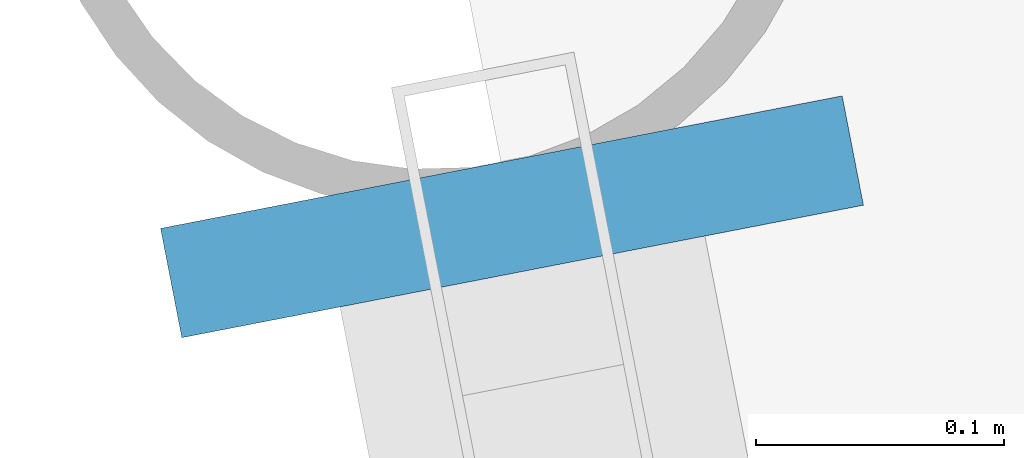
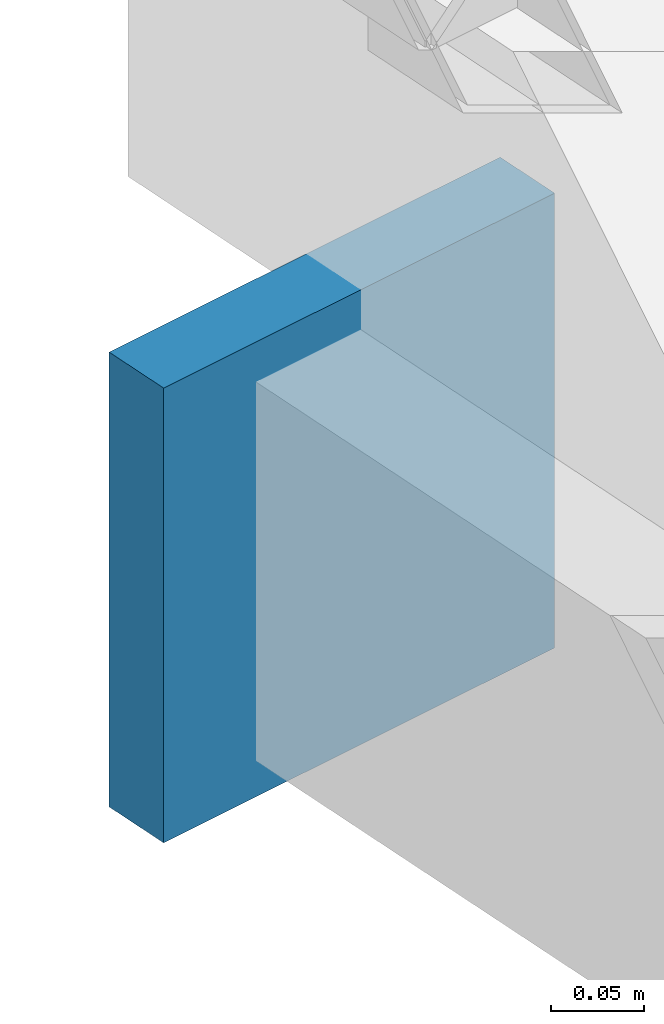
# One storey, part 136 of 161: 1 plate.
"""IFC4 building model written with IfcOpenShell, lengths in metres."""

import ifcopenshell
import ifcopenshell.guid

model = None  # the IFC model being written
_history = None  # IfcOwnerHistory: only IFC2X3 demands one
_inside = {}  # id of a spatial element -> (the spatial element, [elements in it])
_under = {}  # id of a project, library or spatial element -> (it, [spatial elements below it])
_declared = {}  # id of a project -> (the project, [libraries it declares])
_typed = {}  # id of a type object -> (the type object, [elements of that type])
_made_of = {}  # id of a material, layer set ... -> (it, [elements and type objects made of it])


def new_model(schema):
    """Start an empty IFC model of exactly this schema.

    Asked for "IFC4X3", IfcOpenShell would pick the latest addendum, in which some entities
    have other attributes; the version numbers below select the first issue.
    IFC2X3 requires an IfcOwnerHistory on every rooted entity: one is made here for all.
    """
    global model, _history
    if schema == "IFC4X3":
        model = ifcopenshell.file(schema_version=(4, 3, 0, 0))
    else:
        model = ifcopenshell.file(schema=schema)
    _inside.clear()
    _under.clear()
    _declared.clear()
    _typed.clear()
    _made_of.clear()
    _history = None
    if model.schema == "IFC2X3":
        org = make("IfcOrganization", Name="unknown")
        user = make(
            "IfcPersonAndOrganization",
            ThePerson=make("IfcPerson", FamilyName="unknown"),
            TheOrganization=org,
        )
        app = make(
            "IfcApplication",
            ApplicationDeveloper=org,
            Version="unknown",
            ApplicationFullName="unknown",
            ApplicationIdentifier="unknown",
        )
        _history = make(
            "IfcOwnerHistory",
            OwningUser=user,
            OwningApplication=app,
            ChangeAction="ADDED",
            CreationDate=0,
        )
    return model


def make(cls, **values):
    """One entity of the class cls with the attributes given. An attribute that is None is left unset."""
    return model.create_entity(
        cls, **{name: value for name, value in values.items() if value is not None}
    )


def rooted(cls, **values):
    """An entity with a GlobalId (a new one), such as an element, a storey or a relation."""
    return make(cls, GlobalId=ifcopenshell.guid.new(), OwnerHistory=_history, **values)


def si_unit(unit_type, name, prefix=None):
    """IfcSIUnit, for example si_unit("LENGTHUNIT", "METRE", prefix="MILLI")."""
    return make("IfcSIUnit", UnitType=unit_type, Prefix=prefix, Name=name)


def assignment(units):
    """IfcUnitAssignment: the units of a project."""
    return None if units is None else make("IfcUnitAssignment", Units=units)


def point(xyz):
    """IfcCartesianPoint."""
    return None if xyz is None else make("IfcCartesianPoint", Coordinates=xyz)


def direction(xyz):
    """IfcDirection."""
    return None if xyz is None else make("IfcDirection", DirectionRatios=xyz)


def frame(location, z_axis=None, x_axis=None):
    """IfcAxis2Placement3D, a coordinate frame: its origin and axes. An axis left out is left unset."""
    return make(
        "IfcAxis2Placement3D",
        Location=point(location),
        Axis=direction(z_axis),
        RefDirection=direction(x_axis),
    )


def frame_2d(location, x_axis=None):
    """IfcAxis2Placement2D, a coordinate frame in the plane: its origin and x axis."""
    return make(
        "IfcAxis2Placement2D", Location=point(location), RefDirection=direction(x_axis)
    )


def origin():
    """The frame at (0, 0, 0) with its axes left unset."""
    return frame((0.0, 0.0, 0.0))


def origin_2d():
    """The frame at (0, 0) in the plane with its x axis left unset."""
    return frame_2d((0.0, 0.0))


def place(relative_to, where):
    """IfcLocalPlacement: puts the frame where relative to a parent placement (None: the world)."""
    return make(
        "IfcLocalPlacement", PlacementRelTo=relative_to, RelativePlacement=where
    )


def context(
    kind, dimensions, precision=None, world=None, true_north=None, identifier=None
):
    """IfcGeometricRepresentationContext, for example the 3D "Model" context."""
    return make(
        "IfcGeometricRepresentationContext",
        ContextIdentifier=identifier,
        ContextType=kind,
        CoordinateSpaceDimension=dimensions,
        Precision=precision,
        WorldCoordinateSystem=world,
        TrueNorth=true_north,
    )


def subcontext(parent, identifier, kind, view, scale=None):
    """IfcGeometricRepresentationSubContext, for example "Body" below "Model"."""
    return make(
        "IfcGeometricRepresentationSubContext",
        ContextIdentifier=identifier,
        ContextType=kind,
        ParentContext=parent,
        TargetScale=scale,
        TargetView=view,
    )


def project(units=None, contexts=None):
    """IfcProject with its units and contexts."""
    return rooted(
        "IfcProject",
        Name="project",
        RepresentationContexts=contexts,
        UnitsInContext=assignment(units),
    )


def spatial(cls, under=None, at=None, **own):
    """A site, building, storey or space (cls), placed at a placement, below another one or the project."""
    s = rooted(cls, ObjectPlacement=at, **own)
    if under is not None:
        _under.setdefault(under.id(), (under, []))[1].append(s)
    return s


def profile(cls, at=None, kind="AREA", **sizes):
    """A parametric profile (cls). Its sizes go by their IFC names, for example OverallWidth=200.0."""
    return make(cls, ProfileType=kind, Position=at, **sizes)


def rectangle(**sizes):
    """IfcRectangleProfileDef."""
    return profile("IfcRectangleProfileDef", **sizes)


def extrude(swept, where, along, depth):
    """IfcExtrudedAreaSolid: the profile swept, set in the frame where, extruded along a direction by depth."""
    return make(
        "IfcExtrudedAreaSolid",
        SweptArea=swept,
        Position=where,
        ExtrudedDirection=direction(along),
        Depth=depth,
    )


def shape(context_of_items, identifier, shape_type, items):
    """IfcShapeRepresentation: the items that make up one representation, for example the "Body"."""
    return make(
        "IfcShapeRepresentation",
        ContextOfItems=context_of_items,
        RepresentationIdentifier=identifier,
        RepresentationType=shape_type,
        Items=items,
    )


def material(Name=None, Category=None):
    """IfcMaterial."""
    return make("IfcMaterial", Name=Name, Category=Category)


def layer(
    of_material, thickness, ventilated=None, Name=None, Category=None, Priority=None
):
    """IfcMaterialLayer: one layer of a wall or slab, of a material (None: an air gap)."""
    return make(
        "IfcMaterialLayer",
        Material=of_material,
        LayerThickness=thickness,
        IsVentilated=ventilated,
        Name=Name,
        Category=Category,
        Priority=Priority,
    )


def layer_set(layers, Name=None):
    """IfcMaterialLayerSet."""
    return make("IfcMaterialLayerSet", MaterialLayers=layers, LayerSetName=Name)


def made_of(thing, what):
    """Note that an element or type object is made of a material, layer set ...; save() writes the relation."""
    if what is not None:
        _made_of.setdefault(what.id(), (what, []))[1].append(thing)
    return thing


def type_object(cls, material=None, **own):
    """A type object (cls), such as IfcWallType, which elements share."""
    return made_of(rooted(cls, **own), material)


def element(
    cls,
    number,
    at=None,
    inside=None,
    cuts=None,
    type_object=None,
    material=None,
    context=None,
    identifier="Body",
    shape_type=None,
    held_by="IfcProductDefinitionShape",
    body=None,
    shapes=None,
    **own,
):
    """One element of the class cls, such as IfcWall. Its Tag is "e" and its number.

    at: its placement. inside: the storey or other place that contains it. cuts: it is an
    opening in that element (IfcRelVoidsElement). A single representation is given by context,
    identifier, shape_type and body (its items); several are given by shapes. held_by: the class
    of the entity that holds the representations. save() writes the other relations.
    """
    e = rooted(cls, Tag="e%d" % number, ObjectPlacement=at, **own)
    if body is not None:
        shapes = [shape(context, identifier, shape_type, body)]
    if shapes is not None:
        e.Representation = make(held_by, Representations=shapes)
    if inside is not None:
        _inside.setdefault(inside.id(), (inside, []))[1].append(e)
    if cuts is not None:
        rooted(
            "IfcRelVoidsElement", RelatingBuildingElement=cuts, RelatedOpeningElement=e
        )
    if type_object is not None:
        _typed.setdefault(type_object.id(), (type_object, []))[1].append(e)
    return made_of(e, material)


def aggregate(whole, parts):
    """IfcRelAggregates: a whole, such as a stair, and the parts it consists of."""
    return rooted("IfcRelAggregates", RelatingObject=whole, RelatedObjects=parts)


def save(model, path):
    """Write the relations noted so far, then the file.

    IfcRelAggregates (storeys below a building ...), IfcRelContainedInSpatialStructure (elements
    in a storey), IfcRelDefinesByType, IfcRelAssociatesMaterial and IfcRelDeclares: one each for
    every whole, place, type object, material and project.
    """
    for whole, parts in _under.values():
        aggregate(whole, parts)
    for where, things in _inside.values():
        rooted(
            "IfcRelContainedInSpatialStructure",
            RelatedElements=things,
            RelatingStructure=where,
        )
    for kind, things in _typed.values():
        rooted("IfcRelDefinesByType", RelatedObjects=things, RelatingType=kind)
    for what, things in _made_of.values():
        rooted("IfcRelAssociatesMaterial", RelatedObjects=things, RelatingMaterial=what)
    for by, libraries in _declared.values():
        rooted("IfcRelDeclares", RelatingContext=by, RelatedDefinitions=libraries)
    model.write(path)


model = new_model("IFC4")

# Units and contexts
model_context = context("Model", 3, precision=1e-05, world=origin(), true_north=direction((0.0, 1.0)))
body_context = subcontext(model_context, "Body", "Model", "MODEL_VIEW")
ifc_project = project(units=[si_unit("LENGTHUNIT", "METRE"), si_unit("AREAUNIT", "SQUARE_METRE"), si_unit("VOLUMEUNIT", "CUBIC_METRE"), si_unit("PLANEANGLEUNIT", "RADIAN"), si_unit("MASSUNIT", "GRAM", prefix="KILO")], contexts=[model_context])

# Site, building, storey
site_placement = place(None, origin())
site = spatial("IfcSite", under=ifc_project, at=site_placement, CompositionType="ELEMENT")
building_placement = place(site_placement, origin())
building = spatial("IfcBuilding", under=site, at=building_placement, Name="Caisbarro Railhouse Central Library", CompositionType="ELEMENT")
storey_placement = place(building_placement, origin())
storey = spatial("IfcBuildingStorey", under=building, at=storey_placement, Name="L00", CompositionType="ELEMENT", Elevation=0.0)

# Plate
ifc_material = material(Name="Steel ASTM A572 Grade 50", Category="steel")
ifc_layer = layer(ifc_material, 0.044921875, Name="Steel ASTM A572 Grade 50")
ifc_layer_set = layer_set([ifc_layer], Name="Steel ASTM A572 Grade 50")
plate_type = type_object("IfcPlateType", Name="PLT-EP01", PredefinedType="SHEET", material=ifc_layer_set)
plate_placement = place(storey_placement, frame((108.168212890625, 106.235107421875, -0.52490234375), z_axis=(0.0, 0.0, 1.0), x_axis=(-0.190808995377, 0.981627183448, 0.0)))
element("IfcPlate", 1, at=plate_placement, inside=storey, type_object=plate_type, Name="EP01 end cap plate", PredefinedType="SHEET", context=body_context, shape_type="SweptSolid", body=[
    extrude(rectangle(XDim=0.044921875, YDim=0.280029296875, at=origin_2d()), origin(), (0.0, 0.0, 1.0), 0.300048828125),
])

save(model, "model.ifc")
